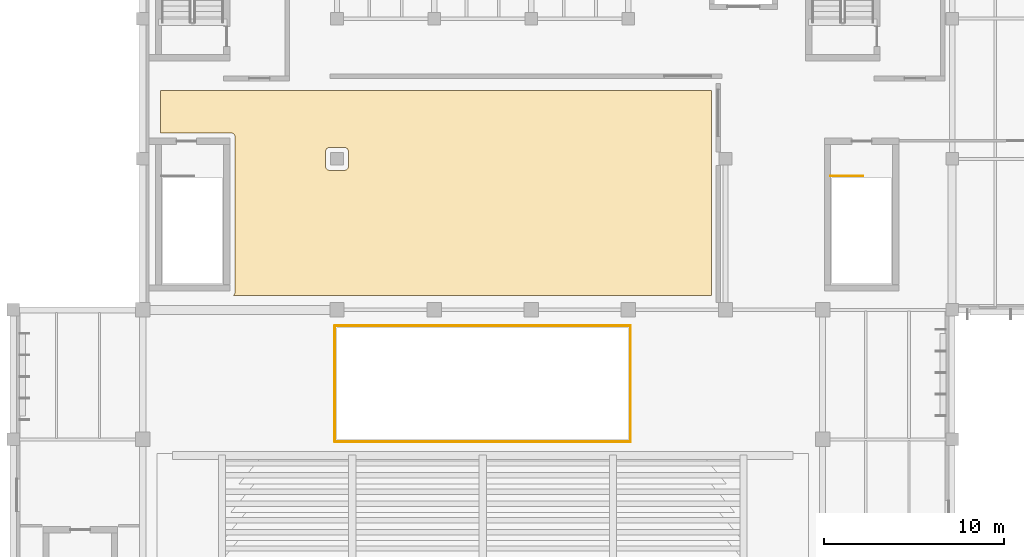
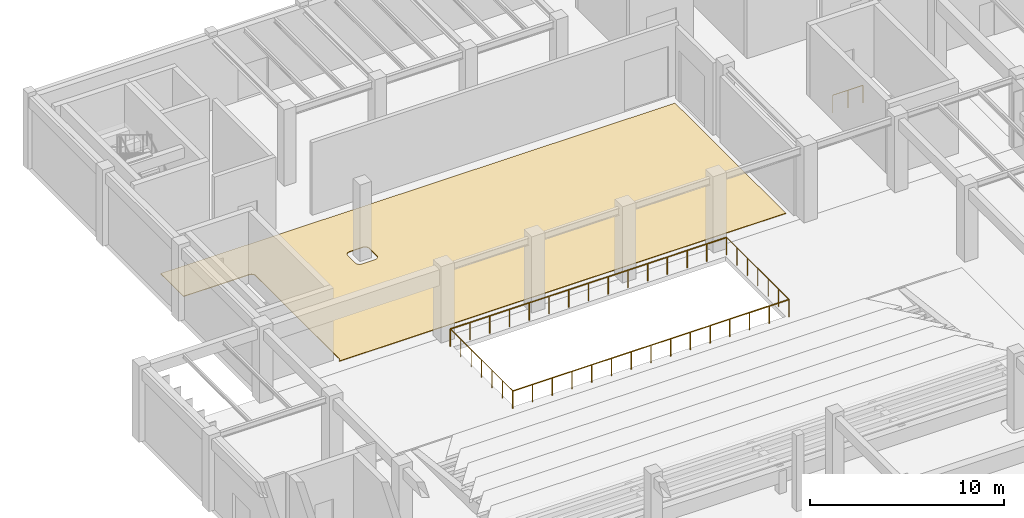
# One storey, part 118 of 122: 5 railings, 1 covering.
"""IFC4 building model written with IfcOpenShell, lengths in metres."""

from ifc_helpers import new_model, si_unit, direction, frame, origin, origin_2d, place, context, subcontext, project, spatial, polyline, circle, outline, extrude, material, layer, layer_set, material_profile, profile_set, type_object, element, save


model = new_model("IFC4")

# Units and contexts
model_context = context("Model", 3, precision=1e-05, world=origin(), true_north=direction((0.0, 1.0)))
body_context = subcontext(model_context, "Body", "Model", "MODEL_VIEW")
ifc_project = project(units=[si_unit("LENGTHUNIT", "METRE"), si_unit("AREAUNIT", "SQUARE_METRE"), si_unit("VOLUMEUNIT", "CUBIC_METRE"), si_unit("PLANEANGLEUNIT", "RADIAN"), si_unit("MASSUNIT", "GRAM", prefix="KILO")], contexts=[model_context])

# Site, building, storey
site_placement = place(None, origin())
site = spatial("IfcSite", under=ifc_project, at=site_placement, CompositionType="ELEMENT")
building_placement = place(site_placement, origin())
building = spatial("IfcBuilding", under=site, at=building_placement, Name="Tazoul Stagehouse", CompositionType="ELEMENT")
storey_placement = place(building_placement, origin())
storey = spatial("IfcBuildingStorey", under=building, at=storey_placement, Name="L00", CompositionType="ELEMENT", Elevation=0.0)

# Railings
ifc_material_1 = material(Name="Brushed Stainless Steel 316L", Category="steel")
ifc_material_profile = material_profile(ifc_material_1, circle(Radius=0.02392578125, at=origin_2d()), Name="SS RAIL D48")
ifc_profile_set = profile_set([ifc_material_profile], Name="Brushed Stainless Steel 316L")
railing_type = type_object("IfcRailingType", Name="Architectural Guardrail H1120", PredefinedType="GUARDRAIL", material=ifc_profile_set)
railing_1_placement = place(storey_placement, frame((95.85009765625, 95.25, 0.0)))
element("IfcRailing", 1, at=railing_1_placement, inside=storey, type_object=railing_type, Name="L00 ST-B1 top well guard 1", PredefinedType="GUARDRAIL", context=body_context, shape_type="SweptSolid", body=[
    extrude(circle(Radius=0.02392578125, at=origin_2d()), frame((0.0, 0.0, 1.09619140625), z_axis=(1.0, 0.0, 0.0), x_axis=(0.0, 1.0, 0.0)), (0.0, 0.0, 1.0), 1.7998046875),
    extrude(circle(Radius=0.02099609375, at=origin_2d()), origin(), (0.0, 0.0, 1.0), 1.072021484375),
    extrude(circle(Radius=0.02099609375, at=origin_2d()), frame((0.89990234375, 0.0, 0.0)), (0.0, 0.0, 1.0), 1.072021484375),
    extrude(circle(Radius=0.02099609375, at=origin_2d()), frame((1.7998046875, 0.0, 0.0)), (0.0, 0.0, 1.0), 1.072021484375),
])
railing_2_placement = place(storey_placement, frame((68.280029296875, 80.47998046875, 0.0)))
element("IfcRailing", 2, at=railing_2_placement, inside=storey, type_object=railing_type, Name="L00 Open-Edge Guard GRD-01 (GRD-VOID1-S1)", PredefinedType="GUARDRAIL", context=body_context, shape_type="SweptSolid", body=[
    extrude(circle(Radius=0.02392578125, at=origin_2d()), frame((0.0, 0.0, 1.09619140625), z_axis=(1.0, 0.0, 0.0), x_axis=(0.0, 1.0, 0.0)), (0.0, 0.0, 1.0), 16.43994140625),
    extrude(circle(Radius=0.02099609375, at=origin_2d()), origin(), (0.0, 0.0, 1.0), 1.072021484375),
    extrude(circle(Radius=0.02099609375, at=origin_2d()), frame((1.17431640625, 0.0, 0.0)), (0.0, 0.0, 1.0), 1.072021484375),
    extrude(circle(Radius=0.02099609375, at=origin_2d()), frame((2.3486328125, 0.0, 0.0)), (0.0, 0.0, 1.0), 1.072021484375),
    extrude(circle(Radius=0.02099609375, at=origin_2d()), frame((3.52294921875, 0.0, 0.0)), (0.0, 0.0, 1.0), 1.072021484375),
    extrude(circle(Radius=0.02099609375, at=origin_2d()), frame((4.697021484375, 0.0, 0.0)), (0.0, 0.0, 1.0), 1.072021484375),
    extrude(circle(Radius=0.02099609375, at=origin_2d()), frame((5.871337890625, 0.0, 0.0)), (0.0, 0.0, 1.0), 1.072021484375),
    extrude(circle(Radius=0.02099609375, at=origin_2d()), frame((7.045654296875, 0.0, 0.0)), (0.0, 0.0, 1.0), 1.072021484375),
    extrude(circle(Radius=0.02099609375, at=origin_2d()), frame((8.219970703125, 0.0, 0.0)), (0.0, 0.0, 1.0), 1.072021484375),
    extrude(circle(Radius=0.02099609375, at=origin_2d()), frame((9.394287109375, 0.0, 0.0)), (0.0, 0.0, 1.0), 1.072021484375),
    extrude(circle(Radius=0.02099609375, at=origin_2d()), frame((10.568603515625, 0.0, 0.0)), (0.0, 0.0, 1.0), 1.072021484375),
    extrude(circle(Radius=0.02099609375, at=origin_2d()), frame((11.742919921875, 0.0, 0.0)), (0.0, 0.0, 1.0), 1.072021484375),
    extrude(circle(Radius=0.02099609375, at=origin_2d()), frame((12.9169921875, 0.0, 0.0)), (0.0, 0.0, 1.0), 1.072021484375),
    extrude(circle(Radius=0.02099609375, at=origin_2d()), frame((14.09130859375, 0.0, 0.0)), (0.0, 0.0, 1.0), 1.072021484375),
    extrude(circle(Radius=0.02099609375, at=origin_2d()), frame((15.265625, 0.0, 0.0)), (0.0, 0.0, 1.0), 1.072021484375),
    extrude(circle(Radius=0.02099609375, at=origin_2d()), frame((16.43994140625, 0.0, 0.0)), (0.0, 0.0, 1.0), 1.072021484375),
])
railing_3_placement = place(storey_placement, frame((84.719970703125, 80.47998046875, 0.0)))
element("IfcRailing", 3, at=railing_3_placement, inside=storey, type_object=railing_type, Name="L00 Open-Edge Guard GRD-01 (GRD-VOID1-E1)", PredefinedType="GUARDRAIL", context=body_context, shape_type="SweptSolid", body=[
    extrude(circle(Radius=0.02392578125, at=origin_2d()), frame((0.0, 0.0, 1.09619140625), z_axis=(0.0, 1.0, 0.0), x_axis=(-1.0, 0.0, 0.0)), (0.0, 0.0, 1.0), 6.43994140625),
    extrude(circle(Radius=0.02099609375, at=origin_2d()), origin(), (0.0, 0.0, 1.0), 1.072021484375),
    extrude(circle(Radius=0.02099609375, at=origin_2d()), frame((0.0, 1.0732421875, 0.0)), (0.0, 0.0, 1.0), 1.072021484375),
    extrude(circle(Radius=0.02099609375, at=origin_2d()), frame((0.0, 2.146728515625, 0.0)), (0.0, 0.0, 1.0), 1.072021484375),
    extrude(circle(Radius=0.02099609375, at=origin_2d()), frame((0.0, 3.219970703125, 0.0)), (0.0, 0.0, 1.0), 1.072021484375),
    extrude(circle(Radius=0.02099609375, at=origin_2d()), frame((0.0, 4.293212890625, 0.0)), (0.0, 0.0, 1.0), 1.072021484375),
    extrude(circle(Radius=0.02099609375, at=origin_2d()), frame((0.0, 5.36669921875, 0.0)), (0.0, 0.0, 1.0), 1.072021484375),
    extrude(circle(Radius=0.02099609375, at=origin_2d()), frame((0.0, 6.43994140625, 0.0)), (0.0, 0.0, 1.0), 1.072021484375),
])
railing_4_placement = place(storey_placement, frame((84.719970703125, 86.919921875, 0.0)))
element("IfcRailing", 4, at=railing_4_placement, inside=storey, type_object=railing_type, Name="L00 Open-Edge Guard GRD-01 (GRD-VOID1-N1)", PredefinedType="GUARDRAIL", context=body_context, shape_type="SweptSolid", body=[
    extrude(circle(Radius=0.02392578125, at=origin_2d()), frame((0.0, 0.0, 1.09619140625), z_axis=(-1.0, 0.0, 0.0), x_axis=(0.0, -1.0, 0.0)), (0.0, 0.0, 1.0), 16.43994140625),
    extrude(circle(Radius=0.02099609375, at=origin_2d()), origin(), (0.0, 0.0, 1.0), 1.072021484375),
    extrude(circle(Radius=0.02099609375, at=origin_2d()), frame((-1.17431640625, 0.0, 0.0)), (0.0, 0.0, 1.0), 1.072021484375),
    extrude(circle(Radius=0.02099609375, at=origin_2d()), frame((-2.3486328125, 0.0, 0.0)), (0.0, 0.0, 1.0), 1.072021484375),
    extrude(circle(Radius=0.02099609375, at=origin_2d()), frame((-3.52294921875, 0.0, 0.0)), (0.0, 0.0, 1.0), 1.072021484375),
    extrude(circle(Radius=0.02099609375, at=origin_2d()), frame((-4.697021484375, 0.0, 0.0)), (0.0, 0.0, 1.0), 1.072021484375),
    extrude(circle(Radius=0.02099609375, at=origin_2d()), frame((-5.871337890625, 0.0, 0.0)), (0.0, 0.0, 1.0), 1.072021484375),
    extrude(circle(Radius=0.02099609375, at=origin_2d()), frame((-7.045654296875, 0.0, 0.0)), (0.0, 0.0, 1.0), 1.072021484375),
    extrude(circle(Radius=0.02099609375, at=origin_2d()), frame((-8.219970703125, 0.0, 0.0)), (0.0, 0.0, 1.0), 1.072021484375),
    extrude(circle(Radius=0.02099609375, at=origin_2d()), frame((-9.394287109375, 0.0, 0.0)), (0.0, 0.0, 1.0), 1.072021484375),
    extrude(circle(Radius=0.02099609375, at=origin_2d()), frame((-10.568603515625, 0.0, 0.0)), (0.0, 0.0, 1.0), 1.072021484375),
    extrude(circle(Radius=0.02099609375, at=origin_2d()), frame((-11.742919921875, 0.0, 0.0)), (0.0, 0.0, 1.0), 1.072021484375),
    extrude(circle(Radius=0.02099609375, at=origin_2d()), frame((-12.9169921875, 0.0, 0.0)), (0.0, 0.0, 1.0), 1.072021484375),
    extrude(circle(Radius=0.02099609375, at=origin_2d()), frame((-14.09130859375, 0.0, 0.0)), (0.0, 0.0, 1.0), 1.072021484375),
    extrude(circle(Radius=0.02099609375, at=origin_2d()), frame((-15.265625, 0.0, 0.0)), (0.0, 0.0, 1.0), 1.072021484375),
    extrude(circle(Radius=0.02099609375, at=origin_2d()), frame((-16.43994140625, 0.0, 0.0)), (0.0, 0.0, 1.0), 1.072021484375),
])
railing_5_placement = place(storey_placement, frame((68.280029296875, 86.919921875, 0.0)))
element("IfcRailing", 5, at=railing_5_placement, inside=storey, type_object=railing_type, Name="L00 Open-Edge Guard GRD-01 (GRD-VOID1-W1)", PredefinedType="GUARDRAIL", context=body_context, shape_type="SweptSolid", body=[
    extrude(circle(Radius=0.02392578125, at=origin_2d()), frame((0.0, 0.0, 1.09619140625), z_axis=(0.0, -1.0, 0.0), x_axis=(1.0, 0.0, 0.0)), (0.0, 0.0, 1.0), 6.43994140625),
    extrude(circle(Radius=0.02099609375, at=origin_2d()), origin(), (0.0, 0.0, 1.0), 1.072021484375),
    extrude(circle(Radius=0.02099609375, at=origin_2d()), frame((0.0, -1.0732421875, 0.0)), (0.0, 0.0, 1.0), 1.072021484375),
    extrude(circle(Radius=0.02099609375, at=origin_2d()), frame((0.0, -2.146728515625, 0.0)), (0.0, 0.0, 1.0), 1.072021484375),
    extrude(circle(Radius=0.02099609375, at=origin_2d()), frame((0.0, -3.219970703125, 0.0)), (0.0, 0.0, 1.0), 1.072021484375),
    extrude(circle(Radius=0.02099609375, at=origin_2d()), frame((0.0, -4.293212890625, 0.0)), (0.0, 0.0, 1.0), 1.072021484375),
    extrude(circle(Radius=0.02099609375, at=origin_2d()), frame((0.0, -5.36669921875, 0.0)), (0.0, 0.0, 1.0), 1.072021484375),
    extrude(circle(Radius=0.02099609375, at=origin_2d()), frame((0.0, -6.43994140625, 0.0)), (0.0, 0.0, 1.0), 1.072021484375),
])

# Covering
ifc_material_2 = material(Name="Acoustic Cedar Timber", Category="wood")
ifc_layer = layer(ifc_material_2, 0.0400390625, Name="Acoustic Cedar Timber")
ifc_layer_set = layer_set([ifc_layer], Name="Acoustic Cedar Timber")
covering_type = type_object("IfcCoveringType", Name="Atlas Cedar Sprung Stage & Hall Flooring 40", PredefinedType="FLOORING", material=ifc_layer_set)
covering_placement = place(storey_placement, origin())
element("IfcCovering", 6, at=covering_placement, inside=storey, type_object=covering_type, Name="L00 Main Proscenium Stage and Wings Flooring", PredefinedType="FLOORING", context=body_context, shape_type="SweptSolid", body=[
    extrude(outline(polyline([(62.62890625, 88.60205078125), (62.648681640625, 88.61669921875), (62.666748046875, 88.63330078125), (62.683349609375, 88.6513671875), (62.697998046875, 88.671142578125), (62.71044921875, 88.692138671875), (62.720947265625, 88.71435546875), (62.729248046875, 88.7373046875), (62.735107421875, 88.76123046875), (62.73876953125, 88.785400390625), (62.739990234375, 88.81005859375), (62.739990234375, 97.389892578125), (62.73876953125, 97.41455078125), (62.735107421875, 97.438720703125), (62.729248046875, 97.462646484375), (62.720947265625, 97.485595703125), (62.71044921875, 97.5078125), (62.697998046875, 97.52880859375), (62.683349609375, 97.548583984375), (62.666748046875, 97.56689453125), (62.648681640625, 97.583251953125), (62.62890625, 97.597900390625), (62.60791015625, 97.610595703125), (62.585693359375, 97.62109375), (62.5625, 97.629150390625), (62.538818359375, 97.63525390625), (62.514404296875, 97.638916015625), (62.489990234375, 97.639892578125), (58.590087890625, 97.639892578125), (58.590087890625, 100.010009765625), (89.2099609375, 100.010009765625), (89.2099609375, 88.590087890625), (62.608642578125, 88.590087890625), (62.62890625, 88.60205078125)]), holes=[polyline([(69.038818359375, 96.614501953125), (69.03515625, 96.638916015625), (69.029296875, 96.66259765625), (69.02099609375, 96.685791015625), (69.010498046875, 96.707763671875), (68.997802734375, 96.72900390625), (68.9833984375, 96.74853515625), (68.966796875, 96.766845703125), (68.948486328125, 96.783203125), (68.928955078125, 96.7978515625), (68.90771484375, 96.810546875), (68.8857421875, 96.821044921875), (68.862548828125, 96.8291015625), (68.8388671875, 96.835205078125), (68.814453125, 96.8388671875), (68.7900390625, 96.840087890625), (68.010009765625, 96.840087890625), (67.985595703125, 96.8388671875), (67.961181640625, 96.835205078125), (67.9375, 96.8291015625), (67.914306640625, 96.821044921875), (67.89208984375, 96.810546875), (67.87109375, 96.7978515625), (67.851318359375, 96.783203125), (67.833251953125, 96.766845703125), (67.816650390625, 96.74853515625), (67.802001953125, 96.72900390625), (67.78955078125, 96.707763671875), (67.779052734375, 96.685791015625), (67.770751953125, 96.66259765625), (67.764892578125, 96.638916015625), (67.76123046875, 96.614501953125), (67.760009765625, 96.590087890625), (67.760009765625, 95.81005859375), (67.76123046875, 95.785400390625), (67.764892578125, 95.76123046875), (67.770751953125, 95.7373046875), (67.779052734375, 95.71435546875), (67.78955078125, 95.692138671875), (67.802001953125, 95.671142578125), (67.816650390625, 95.6513671875), (67.833251953125, 95.63330078125), (67.851318359375, 95.61669921875), (67.87109375, 95.60205078125), (67.89208984375, 95.589599609375), (67.914306640625, 95.5791015625), (67.9375, 95.57080078125), (67.961181640625, 95.564697265625), (67.985595703125, 95.561279296875), (68.010009765625, 95.56005859375), (68.7900390625, 95.56005859375), (68.814453125, 95.561279296875), (68.8388671875, 95.564697265625), (68.862548828125, 95.57080078125), (68.8857421875, 95.5791015625), (68.90771484375, 95.589599609375), (68.928955078125, 95.60205078125), (68.948486328125, 95.61669921875), (68.966796875, 95.63330078125), (68.9833984375, 95.6513671875), (68.997802734375, 95.671142578125), (69.010498046875, 95.692138671875), (69.02099609375, 95.71435546875), (69.029296875, 95.7373046875), (69.03515625, 95.76123046875), (69.038818359375, 95.785400390625), (69.0400390625, 95.81005859375), (69.0400390625, 96.590087890625), (69.038818359375, 96.614501953125)])]), origin(), (0.0, 0.0, 1.0), 0.0400390625),
])

save(model, "model.ifc")
